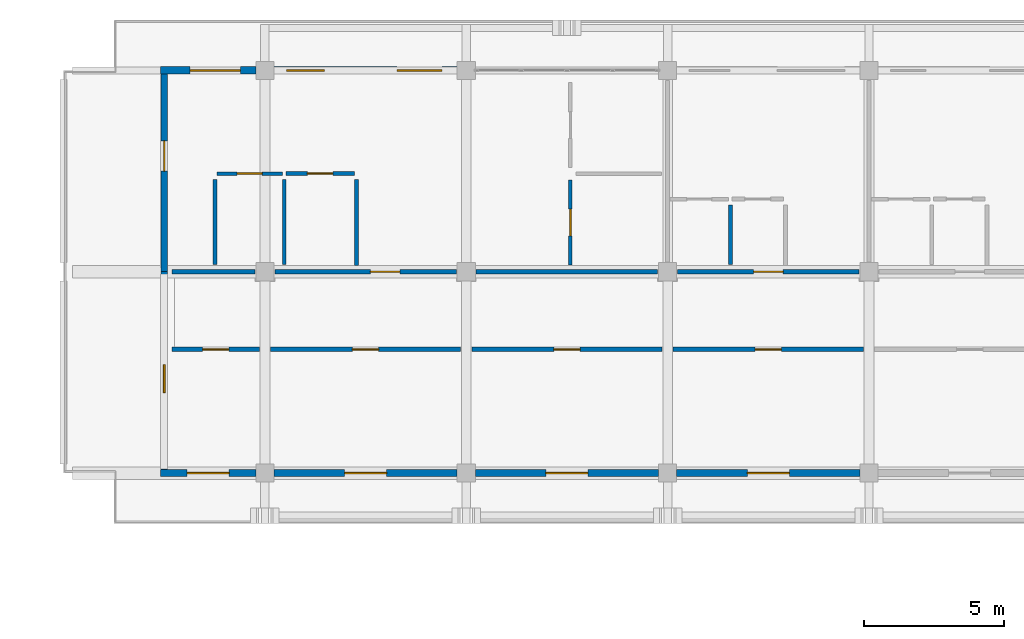
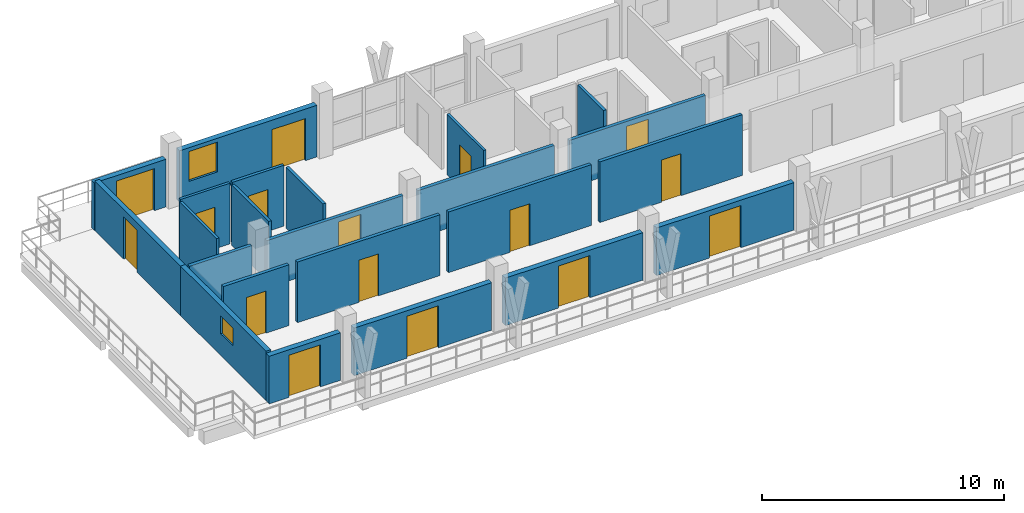
# One storey, part 42 of 75: 23 walls, 16 doors, 2 windows, 18 openings.
"""IFC4 building model written with IfcOpenShell, lengths in metres."""

from ifc_helpers import new_model, si_unit, direction, frame, frame_2d, origin, place, context, subcontext, project, spatial, rectangle, extrude, material, layer, layer_set, type_object, element, fill, save


model = new_model("IFC4")

# Units and contexts
model_context = context("Model", 3, precision=1e-05, world=origin(), true_north=direction((0.0, 1.0)))
body_context = subcontext(model_context, "Body", "Model", "MODEL_VIEW")
ifc_project = project(units=[si_unit("LENGTHUNIT", "METRE"), si_unit("AREAUNIT", "SQUARE_METRE"), si_unit("VOLUMEUNIT", "CUBIC_METRE"), si_unit("PLANEANGLEUNIT", "RADIAN"), si_unit("MASSUNIT", "GRAM", prefix="KILO")], contexts=[model_context])

# Site, building, storey
site_placement = place(None, origin())
site = spatial("IfcSite", under=ifc_project, at=site_placement, CompositionType="ELEMENT")
building_placement = place(site_placement, origin())
building = spatial("IfcBuilding", under=site, at=building_placement, Name="Suanplinth Sawtooth Commons", CompositionType="ELEMENT")
storey_placement = place(building_placement, frame((0.0, 0.0, 18.60009765625)))
storey = spatial("IfcBuildingStorey", under=building, at=storey_placement, Name="L05", CompositionType="ELEMENT", Elevation=18.60009765625)

# Wall, opening, door
ifc_material_1 = material(Name="Precast concrete C40/50", Category="concrete")
ifc_layer_1 = layer(ifc_material_1, 0.260009765625, Name="Insulated precast courtyard facade wall 260mm")
ifc_layer_set_1 = layer_set([ifc_layer_1], Name="Precast concrete C40/50")
wall_type_1 = type_object("IfcWallType", Name="W-EX02", PredefinedType="ELEMENTEDWALL", material=ifc_layer_set_1)
wall_1_placement = place(storey_placement, frame((3.469970703125, 122.39990234375, 0.0), z_axis=(0.0, 0.0, 1.0), x_axis=(1.0, 0.0, 0.0)))
wall_1 = element("IfcWall", 1, at=wall_1_placement, inside=storey, type_object=wall_type_1, Name="Facade Wall W-L05-A-N-0", PredefinedType="ELEMENTEDWALL", context=body_context, shape_type="SweptSolid", body=[
    extrude(rectangle(XDim=3.405029296875, YDim=0.260009765625, at=frame_2d((1.70263671875, 0.0))), origin(), (0.0, 0.0, 1.0), 2.39501953125),
])
opening_1_placement = place(wall_1_placement, frame((1.054931640625, 0.0, 0.0)))
opening_1 = element("IfcOpeningElement", 2, at=opening_1_placement, cuts=wall_1, Name="Opening ED0395", PredefinedType="OPENING", context=body_context, shape_type="SweptSolid", body=[
    extrude(rectangle(XDim=1.800048828125, YDim=2.1201171875, at=frame_2d((0.89990234375, 1.06005859375))), frame((0.0, 0.14501953125, 0.0), z_axis=(0.0, -1.0, 0.0), x_axis=(1.0, 0.0, 0.0)), (0.0, 0.0, 1.0), 0.289794921875),
])
ifc_material_2 = material(Name="Anodized aluminium and low-E glass", Category="aluminium")
door_type_1 = type_object("IfcDoorType", Name="SD-01", OperationType="SLIDING_TO_LEFT", PredefinedType="DOOR", material=ifc_material_2)
door_1_placement = place(opening_1_placement, frame((1.800048828125, 0.0, 0.0), z_axis=(0.0, 0.0, 1.0), x_axis=(-1.0, 0.0, 0.0)))
door_1 = element("IfcDoor", 3, at=door_1_placement, inside=storey, type_object=door_type_1, Name="Balcony Sliding Door L05-A-N-0", OperationType="SLIDING_TO_LEFT", OverallHeight=2.1201171875, OverallWidth=1.800048828125, PredefinedType="DOOR", context=body_context, shape_type="SweptSolid", body=[
    extrude(rectangle(XDim=1.800048828125, YDim=2.1201171875, at=frame_2d((0.89990234375, 1.06005859375))), frame((0.0, 0.02490234375, 0.0), z_axis=(0.0, -1.0, 0.0), x_axis=(1.0, 0.0, 0.0)), (0.0, 0.0, 1.0), 0.050048828125),
])
fill(opening_1, door_1)

wall_2_placement = place(storey_placement, frame((3.469970703125, 108.0, 0.0), z_axis=(0.0, 0.0, 1.0), x_axis=(1.0, 0.0, 0.0)))
wall_2 = element("IfcWall", 4, at=wall_2_placement, inside=storey, type_object=wall_type_1, Name="Courtyard Wall W-L05-A-S-0", PredefinedType="ELEMENTEDWALL", context=body_context, shape_type="SweptSolid", body=[
    extrude(rectangle(XDim=3.405029296875, YDim=0.260009765625, at=frame_2d((1.70263671875, 0.0))), origin(), (0.0, 0.0, 1.0), 2.39501953125),
])
opening_2_placement = place(wall_2_placement, frame((0.951904296875, 0.0, 0.0)))
opening_2 = element("IfcOpeningElement", 5, at=opening_2_placement, cuts=wall_2, Name="Opening ED0396", PredefinedType="OPENING", context=body_context, shape_type="SweptSolid", body=[
    extrude(rectangle(XDim=1.5, YDim=2.1201171875, at=frame_2d((0.75, 1.06005859375))), frame((0.0, 0.14501953125, 0.0), z_axis=(0.0, -1.0, 0.0), x_axis=(1.0, 0.0, 0.0)), (0.0, 0.0, 1.0), 0.289794921875),
])
door_type_2 = type_object("IfcDoorType", Name="SD-03", OperationType="SLIDING_TO_LEFT", PredefinedType="DOOR", material=ifc_material_2)
door_2_placement = place(opening_2_placement, frame((1.5, 0.0, 0.0), z_axis=(0.0, 0.0, 1.0), x_axis=(-1.0, 0.0, 0.0)))
door_2 = element("IfcDoor", 6, at=door_2_placement, inside=storey, type_object=door_type_2, Name="Courtyard Balcony Sliding Door L05-A-S-0", OperationType="SLIDING_TO_LEFT", OverallHeight=2.1201171875, OverallWidth=1.5, PredefinedType="DOOR", context=body_context, shape_type="SweptSolid", body=[
    extrude(rectangle(XDim=1.5, YDim=2.1201171875, at=frame_2d((0.75, 1.06005859375))), frame((0.0, 0.02490234375, 0.0), z_axis=(0.0, -1.0, 0.0), x_axis=(1.0, 0.0, 0.0)), (0.0, 0.0, 1.0), 0.050048828125),
])
fill(opening_2, door_2)

# Wall, openings, door, window
wall_3_placement = place(storey_placement, frame((7.52490234375, 122.39990234375, 0.0), z_axis=(0.0, 0.0, 1.0), x_axis=(1.0, 0.0, 0.0)))
wall_3 = element("IfcWall", 7, at=wall_3_placement, inside=storey, type_object=wall_type_1, Name="Facade Wall W-L05-A-N-1", PredefinedType="ELEMENTEDWALL", context=body_context, shape_type="SweptSolid", body=[
    extrude(rectangle(XDim=6.550048828125, YDim=0.260009765625, at=frame_2d((3.27490234375, 0.0))), origin(), (0.0, 0.0, 1.0), 2.594970703125),
])
opening_3_placement = place(wall_3_placement, frame((4.39990234375, 0.0, 0.0)))
opening_3 = element("IfcOpeningElement", 8, at=opening_3_placement, cuts=wall_3, Name="Opening ED0397", PredefinedType="OPENING", context=body_context, shape_type="SweptSolid", body=[
    extrude(rectangle(XDim=1.60009765625, YDim=2.1201171875, at=frame_2d((0.800048828125, 1.06005859375))), frame((0.0, 0.14501953125, 0.0), z_axis=(0.0, -1.0, 0.0), x_axis=(1.0, 0.0, 0.0)), (0.0, 0.0, 1.0), 0.289794921875),
])
opening_4_placement = place(wall_3_placement, frame((0.449951171875, 0.0, 0.89990234375)))
opening_4 = element("IfcOpeningElement", 9, at=opening_4_placement, cuts=wall_3, Name="Opening W0493", PredefinedType="OPENING", context=body_context, shape_type="SweptSolid", body=[
    extrude(rectangle(XDim=1.35009765625, YDim=1.5, at=frame_2d((0.675048828125, 0.75))), frame((0.0, 0.14501953125, 0.0), z_axis=(0.0, -1.0, 0.0), x_axis=(1.0, 0.0, 0.0)), (0.0, 0.0, 1.0), 0.289794921875),
])
door_type_3 = type_object("IfcDoorType", Name="SD-02", OperationType="SLIDING_TO_RIGHT", PredefinedType="DOOR", material=ifc_material_2)
door_3_placement = place(opening_3_placement, frame((1.60009765625, 0.0, 0.0), z_axis=(0.0, 0.0, 1.0), x_axis=(-1.0, 0.0, 0.0)))
door_3 = element("IfcDoor", 10, at=door_3_placement, inside=storey, type_object=door_type_3, Name="Balcony Sliding Door L05-A-N-1", OperationType="SLIDING_TO_RIGHT", OverallHeight=2.1201171875, OverallWidth=1.60009765625, PredefinedType="DOOR", context=body_context, shape_type="SweptSolid", body=[
    extrude(rectangle(XDim=1.60009765625, YDim=2.1201171875, at=frame_2d((0.800048828125, 1.06005859375))), frame((0.0, 0.02490234375, 0.0), z_axis=(0.0, -1.0, 0.0), x_axis=(1.0, 0.0, 0.0)), (0.0, 0.0, 1.0), 0.050048828125),
])
fill(opening_3, door_3)
ifc_material_3 = material(Name="Thermally broken aluminium and low-E double glazing", Category="aluminium")
window_type_1 = type_object("IfcWindowType", Name="WN-14", PartitioningType="SINGLE_PANEL", PredefinedType="WINDOW", material=ifc_material_3)
window_1_placement = place(opening_4_placement, origin())
window_1 = element("IfcWindow", 11, at=window_1_placement, inside=storey, type_object=window_type_1, Name="Window L05-A-N-1", OverallHeight=1.5, OverallWidth=1.35009765625, PartitioningType="SINGLE_PANEL", PredefinedType="WINDOW", context=body_context, shape_type="SweptSolid", body=[
    extrude(rectangle(XDim=1.35009765625, YDim=1.5, at=frame_2d((0.675048828125, 0.75))), frame((0.0, 0.030029296875, 0.0), z_axis=(0.0, -1.0, 0.0), x_axis=(1.0, 0.0, 0.0)), (0.0, 0.0, 1.0), 0.06005859375),
])
fill(opening_4, window_1)

# Wall, opening, door
wall_4_placement = place(storey_placement, frame((7.52490234375, 108.0, 0.0), z_axis=(0.0, 0.0, 1.0), x_axis=(1.0, 0.0, 0.0)))
wall_4 = element("IfcWall", 12, at=wall_4_placement, inside=storey, type_object=wall_type_1, Name="Courtyard Wall W-L05-A-S-1", PredefinedType="ELEMENTEDWALL", context=body_context, shape_type="SweptSolid", body=[
    extrude(rectangle(XDim=6.550048828125, YDim=0.260009765625, at=frame_2d((3.27490234375, 0.0))), origin(), (0.0, 0.0, 1.0), 2.39501953125),
])
opening_5_placement = place(wall_4_placement, frame((2.52490234375, 0.0, 0.0)))
opening_5 = element("IfcOpeningElement", 13, at=opening_5_placement, cuts=wall_4, Name="Opening ED0398", PredefinedType="OPENING", context=body_context, shape_type="SweptSolid", body=[
    extrude(rectangle(XDim=1.5, YDim=2.1201171875, at=frame_2d((0.75, 1.06005859375))), frame((0.0, 0.14501953125, 0.0), z_axis=(0.0, -1.0, 0.0), x_axis=(1.0, 0.0, 0.0)), (0.0, 0.0, 1.0), 0.289794921875),
])
door_4_placement = place(opening_5_placement, frame((1.5, 0.0, 0.0), z_axis=(0.0, 0.0, 1.0), x_axis=(-1.0, 0.0, 0.0)))
door_4 = element("IfcDoor", 14, at=door_4_placement, inside=storey, type_object=door_type_2, Name="Courtyard Balcony Sliding Door L05-A-S-1", OperationType="SLIDING_TO_LEFT", OverallHeight=2.1201171875, OverallWidth=1.5, PredefinedType="DOOR", context=body_context, shape_type="SweptSolid", body=[
    extrude(rectangle(XDim=1.5, YDim=2.1201171875, at=frame_2d((0.75, 1.06005859375))), frame((0.0, 0.02490234375, 0.0), z_axis=(0.0, -1.0, 0.0), x_axis=(1.0, 0.0, 0.0)), (0.0, 0.0, 1.0), 0.050048828125),
])
fill(opening_5, door_4)

wall_5_placement = place(storey_placement, frame((14.72509765625, 108.0, 0.0), z_axis=(0.0, 0.0, 1.0), x_axis=(1.0, 0.0, 0.0)))
wall_5 = element("IfcWall", 15, at=wall_5_placement, inside=storey, type_object=wall_type_1, Name="Courtyard Wall W-L05-A-S-2", PredefinedType="ELEMENTEDWALL", context=body_context, shape_type="SweptSolid", body=[
    extrude(rectangle(XDim=6.5498046875, YDim=0.260009765625, at=frame_2d((3.27490234375, 0.0))), origin(), (0.0, 0.0, 1.0), 2.39501953125),
])
opening_6_placement = place(wall_5_placement, frame((2.52490234375, 0.0, 0.0)))
opening_6 = element("IfcOpeningElement", 16, at=opening_6_placement, cuts=wall_5, Name="Opening ED0399", PredefinedType="OPENING", context=body_context, shape_type="SweptSolid", body=[
    extrude(rectangle(XDim=1.5, YDim=2.1201171875, at=frame_2d((0.75, 1.06005859375))), frame((0.0, 0.14501953125, 0.0), z_axis=(0.0, -1.0, 0.0), x_axis=(1.0, 0.0, 0.0)), (0.0, 0.0, 1.0), 0.289794921875),
])
door_5_placement = place(opening_6_placement, frame((1.5, 0.0, 0.0), z_axis=(0.0, 0.0, 1.0), x_axis=(-1.0, 0.0, 0.0)))
door_5 = element("IfcDoor", 17, at=door_5_placement, inside=storey, type_object=door_type_2, Name="Courtyard Balcony Sliding Door L05-A-S-2", OperationType="SLIDING_TO_LEFT", OverallHeight=2.1201171875, OverallWidth=1.5, PredefinedType="DOOR", context=body_context, shape_type="SweptSolid", body=[
    extrude(rectangle(XDim=1.5, YDim=2.1201171875, at=frame_2d((0.75, 1.06005859375))), frame((0.0, 0.02490234375, 0.0), z_axis=(0.0, -1.0, 0.0), x_axis=(1.0, 0.0, 0.0)), (0.0, 0.0, 1.0), 0.050048828125),
])
fill(opening_6, door_5)

wall_6_placement = place(storey_placement, frame((21.925048828125, 108.0, 0.0), z_axis=(0.0, 0.0, 1.0), x_axis=(1.0, 0.0, 0.0)))
wall_6 = element("IfcWall", 18, at=wall_6_placement, inside=storey, type_object=wall_type_1, Name="Courtyard Wall W-L05-A-S-3", PredefinedType="ELEMENTEDWALL", context=body_context, shape_type="SweptSolid", body=[
    extrude(rectangle(XDim=6.550048828125, YDim=0.260009765625, at=frame_2d((3.27490234375, 0.0))), origin(), (0.0, 0.0, 1.0), 2.39501953125),
])
opening_7_placement = place(wall_6_placement, frame((2.52490234375, 0.0, 0.0)))
opening_7 = element("IfcOpeningElement", 19, at=opening_7_placement, cuts=wall_6, Name="Opening ED0401", PredefinedType="OPENING", context=body_context, shape_type="SweptSolid", body=[
    extrude(rectangle(XDim=1.5, YDim=2.1201171875, at=frame_2d((0.75, 1.06005859375))), frame((0.0, 0.14501953125, 0.0), z_axis=(0.0, -1.0, 0.0), x_axis=(1.0, 0.0, 0.0)), (0.0, 0.0, 1.0), 0.289794921875),
])
door_6_placement = place(opening_7_placement, frame((1.5, 0.0, 0.0), z_axis=(0.0, 0.0, 1.0), x_axis=(-1.0, 0.0, 0.0)))
door_6 = element("IfcDoor", 20, at=door_6_placement, inside=storey, type_object=door_type_2, Name="Courtyard Balcony Sliding Door L05-A-S-3", OperationType="SLIDING_TO_LEFT", OverallHeight=2.1201171875, OverallWidth=1.5, PredefinedType="DOOR", context=body_context, shape_type="SweptSolid", body=[
    extrude(rectangle(XDim=1.5, YDim=2.1201171875, at=frame_2d((0.75, 1.06005859375))), frame((0.0, 0.02490234375, 0.0), z_axis=(0.0, -1.0, 0.0), x_axis=(1.0, 0.0, 0.0)), (0.0, 0.0, 1.0), 0.050048828125),
])
fill(opening_7, door_6)

# Wall, opening, window
ifc_layer_2 = layer(ifc_material_1, 0.22998046875, Name="Stepped terrace insulated precast wall 230mm")
ifc_layer_set_2 = layer_set([ifc_layer_2], Name="Precast concrete C40/50")
wall_type_2 = type_object("IfcWallType", Name="W-EX06", PredefinedType="ELEMENTEDWALL", material=ifc_layer_set_2)
wall_7_placement = place(storey_placement, frame((3.60009765625, 108.1298828125, 0.0), z_axis=(0.0, 0.0, 1.0), x_axis=(0.0, 1.0, 0.0)))
wall_7 = element("IfcWall", 21, at=wall_7_placement, inside=storey, type_object=wall_type_2, Name="End Wall W-L05-A-W-15", PredefinedType="ELEMENTEDWALL", context=body_context, shape_type="SweptSolid", body=[
    extrude(rectangle(XDim=7.070068359375, YDim=0.22998046875, at=frame_2d((3.53515625, 0.0))), origin(), (0.0, 0.0, 1.0), 2.494873046875),
])
opening_8_placement = place(wall_7_placement, frame((2.75, 0.0, 1.10009765625)))
opening_8 = element("IfcOpeningElement", 22, at=opening_8_placement, cuts=wall_7, Name="Opening W0507", PredefinedType="OPENING", context=body_context, shape_type="SweptSolid", body=[
    extrude(rectangle(XDim=1.0, YDim=0.89990234375, at=frame_2d((0.5, 0.449951171875))), frame((0.0, 0.1298828125, 0.0), z_axis=(0.0, -1.0, 0.0), x_axis=(1.0, 0.0, 0.0)), (0.0, 0.0, 1.0), 0.259765625),
])
window_type_2 = type_object("IfcWindowType", Name="WN-12", PartitioningType="SINGLE_PANEL", PredefinedType="WINDOW", material=ifc_material_3)
window_2_placement = place(opening_8_placement, origin())
window_2 = element("IfcWindow", 23, at=window_2_placement, inside=storey, type_object=window_type_2, Name="End Window L05-A-W-15", OverallHeight=0.89990234375, OverallWidth=1.0, PartitioningType="SINGLE_PANEL", PredefinedType="WINDOW", context=body_context, shape_type="SweptSolid", body=[
    extrude(rectangle(XDim=1.0, YDim=0.89990234375, at=frame_2d((0.5, 0.449951171875))), frame((0.0, 0.030029296875, 0.0), z_axis=(0.0, -1.0, 0.0), x_axis=(1.0, 0.0, 0.0)), (0.0, 0.0, 1.0), 0.06005859375),
])
fill(opening_8, window_2)

# Wall, opening, door
wall_8_placement = place(storey_placement, frame((3.60009765625, 115.199951171875, 0.0), z_axis=(0.0, 0.0, 1.0), x_axis=(0.0, 1.0, 0.0)))
wall_8 = element("IfcWall", 24, at=wall_8_placement, inside=storey, type_object=wall_type_2, Name="End Wall W-L05-A-W-16", PredefinedType="ELEMENTEDWALL", context=body_context, shape_type="SweptSolid", body=[
    extrude(rectangle(XDim=7.070068359375, YDim=0.22998046875, at=frame_2d((3.53515625, 0.0))), origin(), (0.0, 0.0, 1.0), 2.494873046875),
])
opening_9_placement = place(wall_8_placement, frame((3.60009765625, 0.0, 0.0)))
opening_9 = element("IfcOpeningElement", 25, at=opening_9_placement, cuts=wall_8, Name="Opening ED0419", PredefinedType="OPENING", context=body_context, shape_type="SweptSolid", body=[
    extrude(rectangle(XDim=1.080078125, YDim=2.1201171875, at=frame_2d((0.5400390625, 1.06005859375))), frame((0.0, 0.1298828125, 0.0), z_axis=(0.0, -1.0, 0.0), x_axis=(1.0, 0.0, 0.0)), (0.0, 0.0, 1.0), 0.259765625),
])
door_type_4 = type_object("IfcDoorType", Name="ED-10", OperationType="NOTDEFINED", PredefinedType="DOOR", material=ifc_material_2)
door_7_placement = place(opening_9_placement, frame((1.080078125, 0.0, 0.0), z_axis=(0.0, 0.0, 1.0), x_axis=(-1.0, 0.0, 0.0)))
door_7 = element("IfcDoor", 26, at=door_7_placement, inside=storey, type_object=door_type_4, Name="L05 Block A W Stepped Terrace Door", OperationType="SINGLE_SWING_RIGHT", OverallHeight=2.1201171875, OverallWidth=1.080078125, PredefinedType="DOOR", context=body_context, shape_type="SweptSolid", body=[
    extrude(rectangle(XDim=1.080078125, YDim=2.1201171875, at=frame_2d((0.5400390625, 1.06005859375))), frame((0.0, 0.02490234375, 0.0), z_axis=(0.0, -1.0, 0.0), x_axis=(1.0, 0.0, 0.0)), (0.0, 0.0, 1.0), 0.050048828125),
])
fill(opening_9, door_7)

# Wall
ifc_layer_3 = layer(ifc_material_1, 0.159912109375, Name="Fire-rated corridor and lobby wall 160mm")
ifc_layer_set_3 = layer_set([ifc_layer_3], Name="Precast concrete C40/50")
wall_type_3 = type_object("IfcWallType", Name="W-FW01", PredefinedType="PARTITIONING", material=ifc_layer_set_3)
wall_9_placement = place(storey_placement, frame((3.8798828125, 115.199951171875, 0.0), z_axis=(0.0, 0.0, 1.0), x_axis=(1.0, 0.0, 0.0)))
element("IfcWall", 27, at=wall_9_placement, inside=storey, type_object=wall_type_3, Name="W-A-L05-U01-COR-S1", PredefinedType="PARTITIONING", context=body_context, shape_type="SweptSolid", body=[
    extrude(rectangle(XDim=2.965087890625, YDim=0.159912109375, at=frame_2d((1.482421875, 0.0))), origin(), (0.0, 0.0, 1.0), 2.39501953125),
])

# Wall, opening, door
wall_10_placement = place(storey_placement, frame((7.554931640625, 115.199951171875, 0.0), z_axis=(0.0, 0.0, 1.0), x_axis=(1.0, 0.0, 0.0)))
wall_10 = element("IfcWall", 28, at=wall_10_placement, inside=storey, type_object=wall_type_3, Name="W-A-L05-U01-COR-S2", PredefinedType="PARTITIONING", context=body_context, shape_type="SweptSolid", body=[
    extrude(rectangle(XDim=6.489990234375, YDim=0.159912109375, at=frame_2d((3.2451171875, 0.0))), origin(), (0.0, 0.0, 1.0), 2.39501953125),
])
opening_10_placement = place(wall_10_placement, frame((3.419921875, 0.0, 0.0)))
opening_10 = element("IfcOpeningElement", 29, at=opening_10_placement, cuts=wall_10, Name="Opening FD1197", PredefinedType="OPENING", context=body_context, shape_type="SweptSolid", body=[
    extrude(rectangle(XDim=1.050048828125, YDim=2.14990234375, at=frame_2d((0.52490234375, 1.074951171875))), frame((0.0, 0.0947265625, 0.0), z_axis=(0.0, -1.0, 0.0), x_axis=(1.0, 0.0, 0.0)), (0.0, 0.0, 1.0), 0.189697265625),
])
ifc_material_4 = material(Name="Teak hardwood fire-rated door assembly", Category="wood")
door_type_5 = type_object("IfcDoorType", Name="FD-04", OperationType="NOTDEFINED", PredefinedType="DOOR", material=ifc_material_4)
door_8_placement = place(opening_10_placement, origin())
door_8 = element("IfcDoor", 30, at=door_8_placement, inside=storey, type_object=door_type_5, Name="Unit Entrance Door FD1197", OperationType="SINGLE_SWING_LEFT", OverallHeight=2.14990234375, OverallWidth=1.050048828125, PredefinedType="DOOR", context=body_context, shape_type="SweptSolid", body=[
    extrude(rectangle(XDim=1.050048828125, YDim=2.14990234375, at=frame_2d((0.52490234375, 1.074951171875))), frame((0.0, 0.02490234375, 0.0), z_axis=(0.0, -1.0, 0.0), x_axis=(1.0, 0.0, 0.0)), (0.0, 0.0, 1.0), 0.050048828125),
])
fill(opening_10, door_8)

# Wall
wall_11_placement = place(storey_placement, frame((14.7548828125, 115.199951171875, 0.0), z_axis=(0.0, 0.0, 1.0), x_axis=(1.0, 0.0, 0.0)))
element("IfcWall", 31, at=wall_11_placement, inside=storey, type_object=wall_type_3, Name="W-A-L05-U01-COR-S3", PredefinedType="PARTITIONING", context=body_context, shape_type="SweptSolid", body=[
    extrude(rectangle(XDim=6.490234375, YDim=0.159912109375, at=frame_2d((3.2451171875, 0.0))), origin(), (0.0, 0.0, 1.0), 2.39501953125),
])

# Wall, opening, door
wall_12_placement = place(storey_placement, frame((21.955078125, 115.199951171875, 0.0), z_axis=(0.0, 0.0, 1.0), x_axis=(1.0, 0.0, 0.0)))
wall_12 = element("IfcWall", 32, at=wall_12_placement, inside=storey, type_object=wall_type_3, Name="W-A-L05-U02-COR", PredefinedType="PARTITIONING", context=body_context, shape_type="SweptSolid", body=[
    extrude(rectangle(XDim=6.489990234375, YDim=0.159912109375, at=frame_2d((3.2451171875, 0.0))), origin(), (0.0, 0.0, 1.0), 2.39501953125),
])
opening_11_placement = place(wall_12_placement, frame((2.719970703125, 0.0, 0.0)))
opening_11 = element("IfcOpeningElement", 33, at=opening_11_placement, cuts=wall_12, Name="Opening FD1202", PredefinedType="OPENING", context=body_context, shape_type="SweptSolid", body=[
    extrude(rectangle(XDim=1.050048828125, YDim=2.14990234375, at=frame_2d((0.52490234375, 1.074951171875))), frame((0.0, 0.0947265625, 0.0), z_axis=(0.0, -1.0, 0.0), x_axis=(1.0, 0.0, 0.0)), (0.0, 0.0, 1.0), 0.189697265625),
])
door_9_placement = place(opening_11_placement, origin())
door_9 = element("IfcDoor", 34, at=door_9_placement, inside=storey, type_object=door_type_5, Name="Unit Entrance Door FD1202", OperationType="SINGLE_SWING_RIGHT", OverallHeight=2.14990234375, OverallWidth=1.050048828125, PredefinedType="DOOR", context=body_context, shape_type="SweptSolid", body=[
    extrude(rectangle(XDim=1.050048828125, YDim=2.14990234375, at=frame_2d((0.52490234375, 1.074951171875))), frame((0.0, 0.02490234375, 0.0), z_axis=(0.0, -1.0, 0.0), x_axis=(1.0, 0.0, 0.0)), (0.0, 0.0, 1.0), 0.050048828125),
])
fill(opening_11, door_9)

wall_13_placement = place(storey_placement, frame((3.8798828125, 112.419921875, 0.0), z_axis=(0.0, 0.0, 1.0), x_axis=(1.0, 0.0, 0.0)))
wall_13 = element("IfcWall", 35, at=wall_13_placement, inside=storey, type_object=wall_type_3, Name="W-A-L05-COURTROOM-11-COR", PredefinedType="PARTITIONING", context=body_context, shape_type="SweptSolid", body=[
    extrude(rectangle(XDim=3.1201171875, YDim=0.159912109375, at=frame_2d((1.56005859375, 0.0))), origin(), (0.0, 0.0, 1.0), 3.059814453125),
])
opening_12_placement = place(wall_13_placement, frame((1.090087890625, 0.0, 0.0)))
opening_12 = element("IfcOpeningElement", 36, at=opening_12_placement, cuts=wall_13, Name="Opening D1236", PredefinedType="OPENING", context=body_context, shape_type="SweptSolid", body=[
    extrude(rectangle(XDim=0.93994140625, YDim=2.1201171875, at=frame_2d((0.469970703125, 1.06005859375))), frame((0.0, 0.0947265625, 0.0), z_axis=(0.0, -1.0, 0.0), x_axis=(1.0, 0.0, 0.0)), (0.0, 0.0, 1.0), 0.189697265625),
])
ifc_material_5 = material(Name="Teak hardwood", Category="wood")
door_type_6 = type_object("IfcDoorType", Name="D-15", OperationType="NOTDEFINED", PredefinedType="DOOR", material=ifc_material_5)
door_10_placement = place(opening_12_placement, frame((0.93994140625, 0.0, 0.0), z_axis=(0.0, 0.0, 1.0), x_axis=(-1.0, 0.0, 0.0)))
door_10 = element("IfcDoor", 37, at=door_10_placement, inside=storey, type_object=door_type_6, Name="Study Studio Door D1236", OperationType="SINGLE_SWING_RIGHT", OverallHeight=2.1201171875, OverallWidth=0.93994140625, PredefinedType="DOOR", context=body_context, shape_type="SweptSolid", body=[
    extrude(rectangle(XDim=0.93994140625, YDim=2.1201171875, at=frame_2d((0.469970703125, 1.06005859375))), frame((0.0, 0.02490234375, 0.0), z_axis=(0.0, -1.0, 0.0), x_axis=(1.0, 0.0, 0.0)), (0.0, 0.0, 1.0), 0.050048828125),
])
fill(opening_12, door_10)

wall_14_placement = place(storey_placement, frame((7.39990234375, 112.419921875, 0.0), z_axis=(0.0, 0.0, 1.0), x_axis=(1.0, 0.0, 0.0)))
wall_14 = element("IfcWall", 38, at=wall_14_placement, inside=storey, type_object=wall_type_3, Name="W-A-L05-COURTROOM-12-COR", PredefinedType="PARTITIONING", context=body_context, shape_type="SweptSolid", body=[
    extrude(rectangle(XDim=6.800048828125, YDim=0.159912109375, at=frame_2d((3.39990234375, 0.0))), origin(), (0.0, 0.0, 1.0), 3.059814453125),
])
opening_13_placement = place(wall_14_placement, frame((2.929931640625, 0.0, 0.0)))
opening_13 = element("IfcOpeningElement", 39, at=opening_13_placement, cuts=wall_14, Name="Opening D1237", PredefinedType="OPENING", context=body_context, shape_type="SweptSolid", body=[
    extrude(rectangle(XDim=0.93994140625, YDim=2.1201171875, at=frame_2d((0.469970703125, 1.06005859375))), frame((0.0, 0.0947265625, 0.0), z_axis=(0.0, -1.0, 0.0), x_axis=(1.0, 0.0, 0.0)), (0.0, 0.0, 1.0), 0.189697265625),
])
door_11_placement = place(opening_13_placement, frame((0.93994140625, 0.0, 0.0), z_axis=(0.0, 0.0, 1.0), x_axis=(-1.0, 0.0, 0.0)))
door_11 = element("IfcDoor", 40, at=door_11_placement, inside=storey, type_object=door_type_6, Name="Study Studio Door D1237", OperationType="SINGLE_SWING_LEFT", OverallHeight=2.1201171875, OverallWidth=0.93994140625, PredefinedType="DOOR", context=body_context, shape_type="SweptSolid", body=[
    extrude(rectangle(XDim=0.93994140625, YDim=2.1201171875, at=frame_2d((0.469970703125, 1.06005859375))), frame((0.0, 0.02490234375, 0.0), z_axis=(0.0, -1.0, 0.0), x_axis=(1.0, 0.0, 0.0)), (0.0, 0.0, 1.0), 0.050048828125),
])
fill(opening_13, door_11)

wall_15_placement = place(storey_placement, frame((14.60009765625, 112.419921875, 0.0), z_axis=(0.0, 0.0, 1.0), x_axis=(1.0, 0.0, 0.0)))
wall_15 = element("IfcWall", 41, at=wall_15_placement, inside=storey, type_object=wall_type_3, Name="W-A-L05-COURTROOM-13-COR", PredefinedType="PARTITIONING", context=body_context, shape_type="SweptSolid", body=[
    extrude(rectangle(XDim=6.7998046875, YDim=0.159912109375, at=frame_2d((3.39990234375, 0.0))), origin(), (0.0, 0.0, 1.0), 3.059814453125),
])
opening_14_placement = place(wall_15_placement, frame((2.929931640625, 0.0, 0.0)))
opening_14 = element("IfcOpeningElement", 42, at=opening_14_placement, cuts=wall_15, Name="Opening D1238", PredefinedType="OPENING", context=body_context, shape_type="SweptSolid", body=[
    extrude(rectangle(XDim=0.93994140625, YDim=2.1201171875, at=frame_2d((0.469970703125, 1.06005859375))), frame((0.0, 0.0947265625, 0.0), z_axis=(0.0, -1.0, 0.0), x_axis=(1.0, 0.0, 0.0)), (0.0, 0.0, 1.0), 0.189697265625),
])
door_12_placement = place(opening_14_placement, frame((0.93994140625, 0.0, 0.0), z_axis=(0.0, 0.0, 1.0), x_axis=(-1.0, 0.0, 0.0)))
door_12 = element("IfcDoor", 43, at=door_12_placement, inside=storey, type_object=door_type_6, Name="Study Studio Door D1238", OperationType="SINGLE_SWING_RIGHT", OverallHeight=2.1201171875, OverallWidth=0.93994140625, PredefinedType="DOOR", context=body_context, shape_type="SweptSolid", body=[
    extrude(rectangle(XDim=0.93994140625, YDim=2.1201171875, at=frame_2d((0.469970703125, 1.06005859375))), frame((0.0, 0.02490234375, 0.0), z_axis=(0.0, -1.0, 0.0), x_axis=(1.0, 0.0, 0.0)), (0.0, 0.0, 1.0), 0.050048828125),
])
fill(opening_14, door_12)

wall_16_placement = place(storey_placement, frame((21.800048828125, 112.419921875, 0.0), z_axis=(0.0, 0.0, 1.0), x_axis=(1.0, 0.0, 0.0)))
wall_16 = element("IfcWall", 44, at=wall_16_placement, inside=storey, type_object=wall_type_3, Name="W-A-L05-COURTROOM-14-COR", PredefinedType="PARTITIONING", context=body_context, shape_type="SweptSolid", body=[
    extrude(rectangle(XDim=6.800048828125, YDim=0.159912109375, at=frame_2d((3.39990234375, 0.0))), origin(), (0.0, 0.0, 1.0), 3.059814453125),
])
opening_15_placement = place(wall_16_placement, frame((2.929931640625, 0.0, 0.0)))
opening_15 = element("IfcOpeningElement", 45, at=opening_15_placement, cuts=wall_16, Name="Opening D1239", PredefinedType="OPENING", context=body_context, shape_type="SweptSolid", body=[
    extrude(rectangle(XDim=0.93994140625, YDim=2.1201171875, at=frame_2d((0.469970703125, 1.06005859375))), frame((0.0, 0.0947265625, 0.0), z_axis=(0.0, -1.0, 0.0), x_axis=(1.0, 0.0, 0.0)), (0.0, 0.0, 1.0), 0.189697265625),
])
door_13_placement = place(opening_15_placement, frame((0.93994140625, 0.0, 0.0), z_axis=(0.0, 0.0, 1.0), x_axis=(-1.0, 0.0, 0.0)))
door_13 = element("IfcDoor", 46, at=door_13_placement, inside=storey, type_object=door_type_6, Name="Study Studio Door D1239", OperationType="SINGLE_SWING_LEFT", OverallHeight=2.1201171875, OverallWidth=0.93994140625, PredefinedType="DOOR", context=body_context, shape_type="SweptSolid", body=[
    extrude(rectangle(XDim=0.93994140625, YDim=2.1201171875, at=frame_2d((0.469970703125, 1.06005859375))), frame((0.0, 0.02490234375, 0.0), z_axis=(0.0, -1.0, 0.0), x_axis=(1.0, 0.0, 0.0)), (0.0, 0.0, 1.0), 0.050048828125),
])
fill(opening_15, door_13)

ifc_material_6 = material(Name="Gypsum plasterboard on steel stud", Category="steel")
ifc_layer_4 = layer(ifc_material_6, 0.139892578125, Name="Fire-rated kitchen partition 140mm")
ifc_layer_set_4 = layer_set([ifc_layer_4], Name="Gypsum plasterboard on steel stud")
wall_type_4 = type_object("IfcWallType", Name="W-PT01", PredefinedType="PARTITIONING", material=ifc_layer_set_4)
wall_17_placement = place(storey_placement, frame((7.949951171875, 118.7099609375, 0.0), z_axis=(0.0, 0.0, 1.0), x_axis=(1.0, 0.0, 0.0)))
wall_17 = element("IfcWall", 47, at=wall_17_placement, inside=storey, type_object=wall_type_4, Name="W-A-L05-U01-KIT1", PredefinedType="PARTITIONING", context=body_context, shape_type="SweptSolid", body=[
    extrude(rectangle(XDim=2.449951171875, YDim=0.139892578125, at=frame_2d((1.22509765625, 0.0))), origin(), (0.0, 0.0, 1.0), 3.059814453125),
])
opening_16_placement = place(wall_17_placement, frame((0.764892578125, 0.0, 0.0)))
opening_16 = element("IfcOpeningElement", 48, at=opening_16_placement, cuts=wall_17, Name="Opening D1199", PredefinedType="OPENING", context=body_context, shape_type="SweptSolid", body=[
    extrude(rectangle(XDim=0.919921875, YDim=2.10009765625, at=frame_2d((0.4599609375, 1.050048828125))), frame((0.0, 0.0849609375, 0.0), z_axis=(0.0, -1.0, 0.0), x_axis=(1.0, 0.0, 0.0)), (0.0, 0.0, 1.0), 0.169677734375),
])
door_type_7 = type_object("IfcDoorType", Name="D-02", OperationType="NOTDEFINED", PredefinedType="DOOR", material=ifc_material_5)
door_14_placement = place(opening_16_placement, frame((0.919921875, 0.0, 0.0), z_axis=(0.0, 0.0, 1.0), x_axis=(-1.0, 0.0, 0.0)))
door_14 = element("IfcDoor", 49, at=door_14_placement, inside=storey, type_object=door_type_7, Name="Kitchen Door D1199", OperationType="SINGLE_SWING_LEFT", OverallHeight=2.10009765625, OverallWidth=0.919921875, PredefinedType="DOOR", context=body_context, shape_type="SweptSolid", body=[
    extrude(rectangle(XDim=0.919921875, YDim=2.10009765625, at=frame_2d((0.4599609375, 1.050048828125))), frame((0.0, 0.02490234375, 0.0), z_axis=(0.0, -1.0, 0.0), x_axis=(1.0, 0.0, 0.0)), (0.0, 0.0, 1.0), 0.050048828125),
])
fill(opening_16, door_14)

# Wall
wall_18_placement = place(storey_placement, frame((10.469970703125, 115.429931640625, 0.0), z_axis=(0.0, 0.0, 1.0), x_axis=(0.0, 1.0, 0.0)))
element("IfcWall", 50, at=wall_18_placement, inside=storey, type_object=wall_type_4, Name="W-A-L05-U01-KIT2", PredefinedType="PARTITIONING", context=body_context, shape_type="SweptSolid", body=[
    extrude(rectangle(XDim=3.06005859375, YDim=0.139892578125, at=frame_2d((1.530029296875, 0.0))), origin(), (0.0, 0.0, 1.0), 3.059814453125),
])

# Wall, opening, door
ifc_layer_5 = layer(ifc_material_6, 0.1298828125, Name="Moisture-resistant bathroom partition 130mm")
ifc_layer_set_5 = layer_set([ifc_layer_5], Name="Gypsum plasterboard on steel stud")
wall_type_5 = type_object("IfcWallType", Name="W-PT02", PredefinedType="PARTITIONING", material=ifc_layer_set_5)
wall_19_placement = place(storey_placement, frame((5.47998046875, 118.705078125, 0.0), z_axis=(0.0, 0.0, 1.0), x_axis=(1.0, 0.0, 0.0)))
wall_19 = element("IfcWall", 51, at=wall_19_placement, inside=storey, type_object=wall_type_5, Name="W-A-L05-U01-BTH1", PredefinedType="PARTITIONING", context=body_context, shape_type="SweptSolid", body=[
    extrude(rectangle(XDim=2.35009765625, YDim=0.1298828125, at=frame_2d((1.175048828125, 0.0))), origin(), (0.0, 0.0, 1.0), 3.059814453125),
])
opening_17_placement = place(wall_19_placement, frame((0.72509765625, 0.0, 0.0)))
opening_17 = element("IfcOpeningElement", 52, at=opening_17_placement, cuts=wall_19, Name="Opening D1198", PredefinedType="OPENING", context=body_context, shape_type="SweptSolid", body=[
    extrude(rectangle(XDim=0.89990234375, YDim=2.10009765625, at=frame_2d((0.449951171875, 1.050048828125))), frame((0.0, 0.079833984375, 0.0), z_axis=(0.0, -1.0, 0.0), x_axis=(1.0, 0.0, 0.0)), (0.0, 0.0, 1.0), 0.15966796875),
])
door_type_8 = type_object("IfcDoorType", Name="D-01", OperationType="NOTDEFINED", PredefinedType="DOOR", material=ifc_material_5)
door_15_placement = place(opening_17_placement, frame((0.89990234375, 0.0, 0.0), z_axis=(0.0, 0.0, 1.0), x_axis=(-1.0, 0.0, 0.0)))
door_15 = element("IfcDoor", 53, at=door_15_placement, inside=storey, type_object=door_type_8, Name="Bathroom Door D1198", OperationType="SINGLE_SWING_RIGHT", OverallHeight=2.10009765625, OverallWidth=0.89990234375, PredefinedType="DOOR", context=body_context, shape_type="SweptSolid", body=[
    extrude(rectangle(XDim=0.89990234375, YDim=2.10009765625, at=frame_2d((0.449951171875, 1.050048828125))), frame((0.0, 0.02490234375, 0.0), z_axis=(0.0, -1.0, 0.0), x_axis=(1.0, 0.0, 0.0)), (0.0, 0.0, 1.0), 0.050048828125),
])
fill(opening_17, door_15)

# Walls
for number, where, z_axis, x_axis, name in (
    (54, (7.89501953125, 115.4599609375, 0.0), (0.0, 0.0, 1.0), (0.0, 1.0, 0.0), "W-A-L05-U01-BTH2"),
    (55, (5.4150390625, 115.4599609375, 0.0), (0.0, 0.0, 1.0), (0.0, 1.0, 0.0), "W-A-L05-U01-BTH3"),
):
    element("IfcWall", number, at=place(storey_placement, frame(where, z_axis=z_axis, x_axis=x_axis)), inside=storey, type_object=wall_type_5, Name=name, PredefinedType="PARTITIONING", context=body_context, shape_type="SweptSolid", body=[
        extrude(rectangle(XDim=3.0400390625, YDim=0.1298828125, at=frame_2d((1.52001953125, 0.0))), origin(), (0.0, 0.0, 1.0), 3.059814453125),
    ])
wall_20_placement = place(storey_placement, frame((23.844970703125, 115.4599609375, 0.0), z_axis=(0.0, 0.0, 1.0), x_axis=(0.0, 1.0, 0.0)))
element("IfcWall", 56, at=wall_20_placement, inside=storey, type_object=wall_type_5, Name="W-A-L05-U02-BTH2", PredefinedType="PARTITIONING", context=body_context, shape_type="SweptSolid", body=[
    extrude(rectangle(XDim=2.130126953125, YDim=0.1298828125, at=frame_2d((1.06494140625, 0.0))), origin(), (0.0, 0.0, 1.0), 3.059814453125),
])

# Wall, opening, door
ifc_layer_6 = layer(ifc_material_6, 0.1201171875, Name="Acoustic bedroom partition 120mm")
ifc_layer_set_6 = layer_set([ifc_layer_6], Name="Gypsum plasterboard on steel stud")
wall_type_6 = type_object("IfcWallType", Name="W-PT03", PredefinedType="PARTITIONING", material=ifc_layer_set_6)
wall_21_placement = place(storey_placement, frame((18.1201171875, 115.43994140625, 0.0), z_axis=(0.0, 0.0, 1.0), x_axis=(0.0, 1.0, 0.0)))
wall_21 = element("IfcWall", 57, at=wall_21_placement, inside=storey, type_object=wall_type_6, Name="W-A-L05-U01-BED2", PredefinedType="PARTITIONING", context=body_context, shape_type="SweptSolid", body=[
    extrude(rectangle(XDim=3.0400390625, YDim=0.1201171875, at=frame_2d((1.52001953125, 0.0))), origin(), (0.0, 0.0, 1.0), 3.059814453125),
])
opening_18_placement = place(wall_21_placement, frame((1.0400390625, 0.0, 0.0)))
opening_18 = element("IfcOpeningElement", 58, at=opening_18_placement, cuts=wall_21, Name="Opening D1201", PredefinedType="OPENING", context=body_context, shape_type="SweptSolid", body=[
    extrude(rectangle(XDim=0.9599609375, YDim=2.14990234375, at=frame_2d((0.47998046875, 1.074951171875))), frame((0.0, 0.074951171875, 0.0), z_axis=(0.0, -1.0, 0.0), x_axis=(1.0, 0.0, 0.0)), (0.0, 0.0, 1.0), 0.14990234375),
])
door_type_9 = type_object("IfcDoorType", Name="D-13", OperationType="NOTDEFINED", PredefinedType="DOOR", material=ifc_material_5)
door_16_placement = place(opening_18_placement, frame((0.9599609375, 0.0, 0.0), z_axis=(0.0, 0.0, 1.0), x_axis=(-1.0, 0.0, 0.0)))
door_16 = element("IfcDoor", 59, at=door_16_placement, inside=storey, type_object=door_type_9, Name="Second Bedroom Door D1201", OperationType="SINGLE_SWING_LEFT", OverallHeight=2.14990234375, OverallWidth=0.9599609375, PredefinedType="DOOR", context=body_context, shape_type="SweptSolid", body=[
    extrude(rectangle(XDim=0.9599609375, YDim=2.14990234375, at=frame_2d((0.47998046875, 1.074951171875))), frame((0.0, 0.02490234375, 0.0), z_axis=(0.0, -1.0, 0.0), x_axis=(1.0, 0.0, 0.0)), (0.0, 0.0, 1.0), 0.050048828125),
])
fill(opening_18, door_16)

save(model, "model.ifc")
